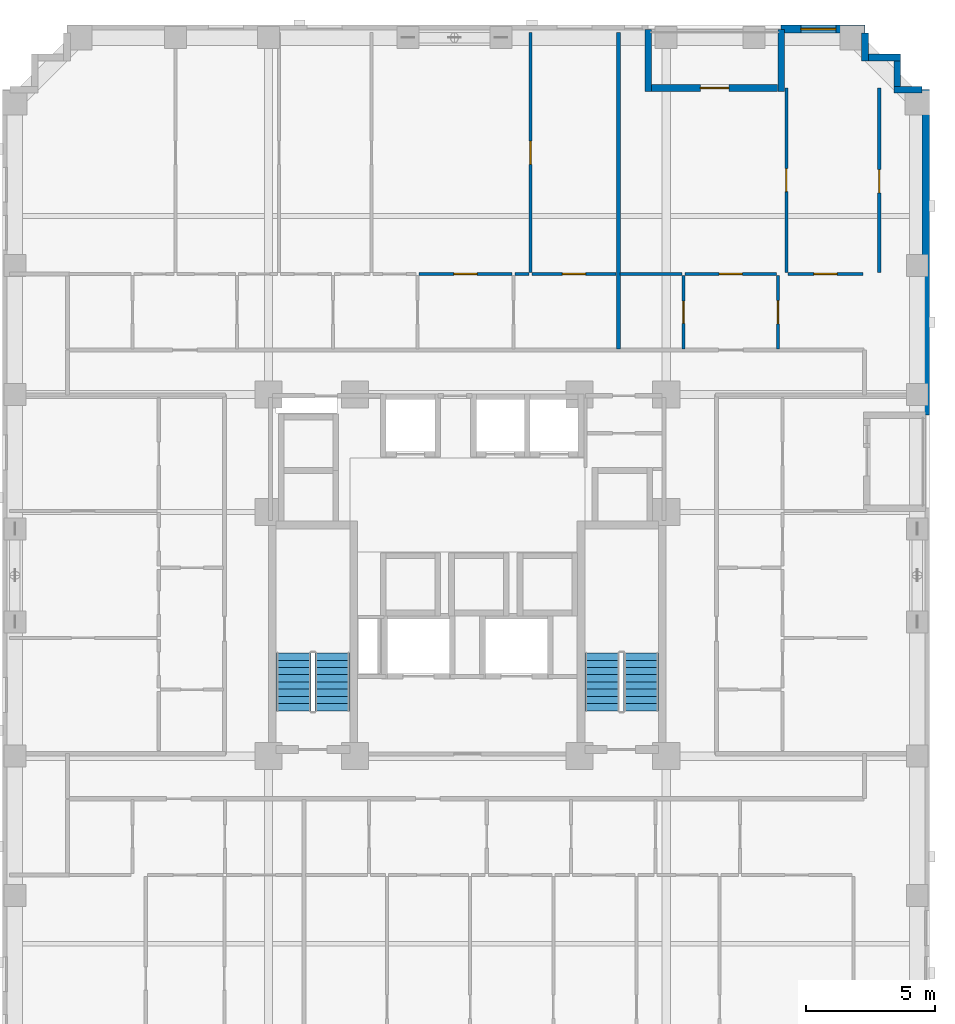
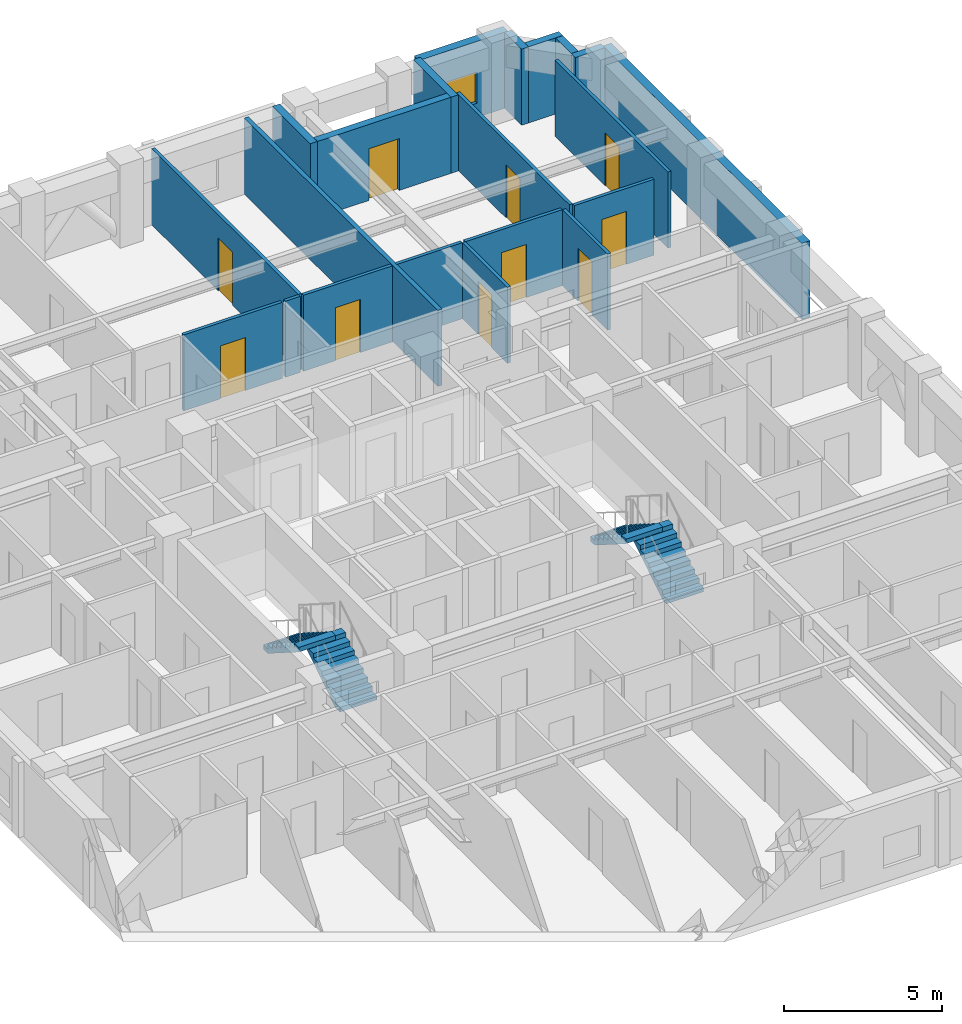
# One storey, part 8 of 12: 21 walls, 10 doors, 4 stair flights, 1 window, 11 openings, 2 elements without a shape of their own.
"""IFC4 building model written with IfcOpenShell, lengths in metres."""

from ifc_helpers import new_model, si_unit, derived_unit, direction, frame, frame_2d, origin, place, context, subcontext, project, spatial, polyline, rectangle, outline, extrude, material, layer, layer_set, type_object, element, fill, aggregate, save


model = new_model("IFC4")

# Units and contexts
model_context = context("Model", 3, precision=1e-05, world=origin(), true_north=direction((0.0, 1.0)))
body_context = subcontext(model_context, "Body", "Model", "MODEL_VIEW")
ifc_project = project(units=[si_unit("LENGTHUNIT", "METRE"), si_unit("AREAUNIT", "SQUARE_METRE"), si_unit("VOLUMEUNIT", "CUBIC_METRE"), si_unit("PLANEANGLEUNIT", "RADIAN"), si_unit("MASSUNIT", "GRAM", prefix="KILO"), derived_unit("THERMALTRANSMITTANCEUNIT", [(si_unit("MASSUNIT", "GRAM", prefix="KILO"), 1), (si_unit("TIMEUNIT", "SECOND"), -3), (si_unit("THERMODYNAMICTEMPERATUREUNIT", "KELVIN"), -1)])], contexts=[model_context])

# Site, building, storey
site_placement = place(None, origin())
site = spatial("IfcSite", under=ifc_project, at=site_placement, CompositionType="ELEMENT")
building_placement = place(site_placement, origin())
building = spatial("IfcBuilding", under=site, at=building_placement, Name="Korrvale Station Residences", CompositionType="ELEMENT")
storey_placement = place(building_placement, frame((0.0, 0.0, 81.5)))
storey = spatial("IfcBuildingStorey", under=building, at=storey_placement, Name="L22", CompositionType="ELEMENT", Elevation=81.5)

# Wall
ifc_material_1 = material(Name="Precast concrete C45/55", Category="concrete")
ifc_layer_1 = layer(ifc_material_1, 0.260009765625, Name="Precast concrete C45/55")
ifc_layer_set_1 = layer_set([ifc_layer_1], Name="Precast concrete C45/55")
wall_type_1 = type_object("IfcWallType", Name="WAL-EXT-LOG260", PredefinedType="SOLIDWALL", material=ifc_layer_set_1)
wall_1_placement = place(storey_placement, frame((32.5, 43.139892578125, 0.0), z_axis=(0.0, 0.0, 1.0), x_axis=(0.0, -1.0, 0.0)))
element("IfcWall", 1, at=wall_1_placement, inside=storey, type_object=wall_type_1, Name="L22 Recessed Loggia Wall BAL-L22-N1-L", PredefinedType="SOLIDWALL", context=body_context, shape_type="SweptSolid", body=[
    extrude(rectangle(XDim=2.39990234375, YDim=0.260009765625, at=frame_2d((1.199951171875, 0.0))), origin(), (0.0, 0.0, 1.0), 2.93994140625),
])

# Wall, opening, door
wall_2_placement = place(storey_placement, frame((32.634033203125, 40.8701171875, 0.0), z_axis=(0.0, 0.0, 1.0), x_axis=(1.0, 0.0, 0.0)))
wall_2 = element("IfcWall", 2, at=wall_2_placement, inside=storey, type_object=wall_type_1, Name="L22 Recessed Loggia Wall BAL-L22-N1-B", PredefinedType="SOLIDWALL", context=body_context, shape_type="SweptSolid", body=[
    extrude(rectangle(XDim=4.882080078125, YDim=0.260009765625, at=frame_2d((2.44091796875, 0.0))), origin(), (0.0, 0.0, 1.0), 2.93994140625),
])
opening_1_placement = place(wall_2_placement, frame((1.89111328125, 0.0, 0.0)))
opening_1 = element("IfcOpeningElement", 3, at=opening_1_placement, cuts=wall_2, Name="Opening BD-01", PredefinedType="OPENING", context=body_context, shape_type="SweptSolid", body=[
    extrude(rectangle(XDim=1.10009765625, YDim=2.0, at=frame_2d((0.550048828125, 1.0))), frame((0.0, 0.14013671875, 0.0), z_axis=(0.0, -1.0, 0.0), x_axis=(1.0, 0.0, 0.0)), (0.0, 0.0, 1.0), 0.280029296875),
])
ifc_material_2 = material(Name="Exterior thermally broken aluminium glazed balcony door", Category="aluminium")
door_type_1 = type_object("IfcDoorType", Name="DR-EXT-BAL", OperationType="NOTDEFINED", PredefinedType="DOOR", material=ifc_material_2)
door_1_placement = place(opening_1_placement, origin())
door_1 = element("IfcDoor", 4, at=door_1_placement, inside=storey, type_object=door_type_1, Name="L22 Loggia Balcony Door BAL-L22-N1", OperationType="SINGLE_SWING_LEFT", OverallHeight=2.0, OverallWidth=1.10009765625, PredefinedType="DOOR", context=body_context, shape_type="SweptSolid", body=[
    extrude(rectangle(XDim=1.10009765625, YDim=2.0, at=frame_2d((0.550048828125, 1.0))), frame((0.0, 0.02490234375, 0.0), z_axis=(0.0, -1.0, 0.0), x_axis=(1.0, 0.0, 0.0)), (0.0, 0.0, 1.0), 0.050048828125),
])
fill(opening_1, door_1)

# Walls
wall_3_placement = place(storey_placement, frame((37.64990234375, 40.739990234375, 0.0), z_axis=(0.0, 0.0, 1.0), x_axis=(0.0, 1.0, 0.0)))
element("IfcWall", 5, at=wall_3_placement, inside=storey, type_object=wall_type_1, Name="L22 Recessed Loggia Wall BAL-L22-N1-R", PredefinedType="SOLIDWALL", context=body_context, shape_type="SweptSolid", body=[
    extrude(rectangle(XDim=2.39990234375, YDim=0.260009765625, at=frame_2d((1.199951171875, 0.0))), origin(), (0.0, 0.0, 1.0), 2.93994140625),
])
wall_4_placement = place(storey_placement, frame((40.89990234375, 42.998046875, 0.0), z_axis=(0.0, 0.0, 1.0), x_axis=(0.0, -1.0, 0.0)))
element("IfcWall", 6, at=wall_4_placement, inside=storey, type_object=wall_type_1, Name="L22 Serrated Corner Precast Step NE-1", PredefinedType="SOLIDWALL", context=body_context, shape_type="SweptSolid", body=[
    extrude(rectangle(XDim=1.078125, YDim=0.260009765625, at=frame_2d((0.5390625, 0.0))), origin(), (0.0, 0.0, 1.0), 2.93994140625),
])
wall_5_placement = place(storey_placement, frame((41.031982421875, 42.050048828125, 0.0), z_axis=(0.0, 0.0, 1.0), x_axis=(1.0, 0.0, 0.0)))
element("IfcWall", 7, at=wall_5_placement, inside=storey, type_object=wall_type_1, Name="L22 Serrated Corner Precast Step NE-2", PredefinedType="SOLIDWALL", context=body_context, shape_type="SweptSolid", body=[
    extrude(rectangle(XDim=1.248046875, YDim=0.260009765625, at=frame_2d((0.6240234375, 0.0))), origin(), (0.0, 0.0, 1.0), 2.93994140625),
])
wall_6_placement = place(storey_placement, frame((42.14990234375, 41.91796875, 0.0), z_axis=(0.0, 0.0, 1.0), x_axis=(0.0, -1.0, 0.0)))
element("IfcWall", 8, at=wall_6_placement, inside=storey, type_object=wall_type_1, Name="L22 Serrated Corner Precast Step NE-3", PredefinedType="SOLIDWALL", context=body_context, shape_type="SweptSolid", body=[
    extrude(rectangle(XDim=0.986083984375, YDim=0.260009765625, at=frame_2d((0.4931640625, 0.0))), origin(), (0.0, 0.0, 1.0), 2.93994140625),
])
wall_7_placement = place(storey_placement, frame((42.02001953125, 40.800048828125, 0.0), z_axis=(0.0, 0.0, 1.0), x_axis=(1.0, 0.0, 0.0)))
element("IfcWall", 9, at=wall_7_placement, inside=storey, type_object=wall_type_1, Name="L22 Serrated Corner Precast Step NE-4", PredefinedType="SOLIDWALL", context=body_context, shape_type="SweptSolid", body=[
    extrude(rectangle(XDim=1.077880859375, YDim=0.260009765625, at=frame_2d((0.5390625, 0.0))), origin(), (0.0, 0.0, 1.0), 2.93994140625),
])

# Wall, opening, window
ifc_layer_2 = layer(ifc_material_1, 0.300048828125, Name="Precast concrete C45/55")
ifc_layer_set_2 = layer_set([ifc_layer_2], Name="Precast concrete C45/55")
wall_type_2 = type_object("IfcWallType", Name="WAL-EXT-PC300", PredefinedType="SOLIDWALL", material=ifc_layer_set_2)
wall_8_placement = place(storey_placement, frame((37.64990234375, 43.14990234375, 0.0), z_axis=(0.0, 0.0, 1.0), x_axis=(1.0, 0.0, 0.0)))
wall_8 = element("IfcWall", 10, at=wall_8_placement, inside=storey, type_object=wall_type_2, Name="L22 North Exterior Precast Wall 2", PredefinedType="SOLIDWALL", context=body_context, shape_type="SweptSolid", body=[
    extrude(rectangle(XDim=3.25, YDim=0.300048828125, at=frame_2d((1.625, 0.0))), origin(), (0.0, 0.0, 1.0), 2.93994140625),
])
opening_2_placement = place(wall_8_placement, frame((0.764892578125, 0.0, 0.550048828125)))
opening_2 = element("IfcOpeningElement", 11, at=opening_2_placement, cuts=wall_8, Name="Opening W-10", PredefinedType="OPENING", context=body_context, shape_type="SweptSolid", body=[
    extrude(rectangle(XDim=1.35009765625, YDim=1.199951171875, at=frame_2d((0.675048828125, 0.60009765625))), frame((0.0, 0.16015625, 0.0), z_axis=(0.0, -1.0, 0.0), x_axis=(1.0, 0.0, 0.0)), (0.0, 0.0, 1.0), 0.320068359375),
])
ifc_material_3 = material(Name="Thermally broken aluminium frame with triple low-e glazing", Category="aluminium")
window_type = type_object("IfcWindowType", Name="WIN-W10", PartitioningType="SINGLE_PANEL", PredefinedType="WINDOW", material=ifc_material_3)
window_placement = place(opening_2_placement, origin())
window = element("IfcWindow", 12, at=window_placement, inside=storey, type_object=window_type, Name="L22 Punched Window 18", OverallHeight=1.199951171875, OverallWidth=1.35009765625, PartitioningType="SINGLE_PANEL", PredefinedType="WINDOW", context=body_context, shape_type="SweptSolid", body=[
    extrude(rectangle(XDim=1.35009765625, YDim=1.199951171875, at=frame_2d((0.675048828125, 0.60009765625))), frame((0.0, 0.030029296875, 0.0), z_axis=(0.0, -1.0, 0.0), x_axis=(1.0, 0.0, 0.0)), (0.0, 0.0, 1.0), 0.06005859375),
])
fill(opening_2, window)

# Wall
wall_9_placement = place(storey_placement, frame((43.25, 40.800048828125, 0.0), z_axis=(0.0, 0.0, 1.0), x_axis=(0.0, -1.0, 0.0)))
element("IfcWall", 13, at=wall_9_placement, inside=storey, type_object=wall_type_2, Name="L22 East Exterior Precast Wall 1", PredefinedType="SOLIDWALL", context=body_context, shape_type="SweptSolid", body=[
    extrude(rectangle(XDim=12.60009765625, YDim=0.300048828125, at=frame_2d((6.300048828125, 0.0))), origin(), (0.0, 0.0, 1.0), 2.93994140625),
])

# Wall, opening, door
ifc_material_4 = material(Name="Acoustic steel-stud gypsum board partition", Category="steel")
ifc_layer_3 = layer(ifc_material_4, 0.1201171875, Name="Acoustic steel-stud gypsum board partition")
ifc_layer_set_3 = layer_set([ifc_layer_3], Name="Acoustic steel-stud gypsum board partition")
wall_type_3 = type_object("IfcWallType", Name="WAL-PART-125", PredefinedType="PARTITIONING", material=ifc_layer_set_3)
wall_10_placement = place(storey_placement, frame((23.6298828125, 33.669921875, 0.0), z_axis=(0.0, 0.0, 1.0), x_axis=(1.0, 0.0, 0.0)))
wall_10 = element("IfcWall", 14, at=wall_10_placement, inside=storey, type_object=wall_type_3, Name="L22 Suite Partition U03-H49", PredefinedType="PARTITIONING", context=body_context, shape_type="SweptSolid", body=[
    extrude(rectangle(XDim=3.60009765625, YDim=0.1201171875, at=frame_2d((1.800048828125, 0.0))), origin(), (0.0, 0.0, 1.0), 2.93994140625),
])
opening_3_placement = place(wall_10_placement, frame((1.35009765625, 0.0, 0.0)))
opening_3 = element("IfcOpeningElement", 15, at=opening_3_placement, cuts=wall_10, Name="Opening DI-900", PredefinedType="OPENING", context=body_context, shape_type="SweptSolid", body=[
    extrude(rectangle(XDim=0.89990234375, YDim=2.050048828125, at=frame_2d((0.449951171875, 1.02490234375))), frame((0.0, 0.070068359375, 0.0), z_axis=(0.0, -1.0, 0.0), x_axis=(1.0, 0.0, 0.0)), (0.0, 0.0, 1.0), 0.14013671875),
])
ifc_material_5 = material(Name="Painted solid-core timber interior room door", Category="wood")
door_type_2 = type_object("IfcDoorType", Name="DR-INT-900", OperationType="NOTDEFINED", PredefinedType="DOOR", material=ifc_material_5)
door_2_placement = place(opening_3_placement, origin())
door_2 = element("IfcDoor", 16, at=door_2_placement, inside=storey, type_object=door_type_2, Name="L22 Apartment 1BR L22-U03 Storage Closet 3 Door", OperationType="SINGLE_SWING_LEFT", OverallHeight=2.050048828125, OverallWidth=0.89990234375, PredefinedType="DOOR", context=body_context, shape_type="SweptSolid", body=[
    extrude(rectangle(XDim=0.89990234375, YDim=2.050048828125, at=frame_2d((0.449951171875, 1.02490234375))), frame((0.0, 0.02490234375, 0.0), z_axis=(0.0, -1.0, 0.0), x_axis=(1.0, 0.0, 0.0)), (0.0, 0.0, 1.0), 0.050048828125),
])
fill(opening_3, door_2)

# Wall
wall_11_placement = place(storey_placement, frame((27.35009765625, 33.669921875, 0.0), z_axis=(0.0, 0.0, 1.0), x_axis=(1.0, 0.0, 0.0)))
element("IfcWall", 17, at=wall_11_placement, inside=storey, type_object=wall_type_3, Name="L22 Suite Partition U03-H59", PredefinedType="PARTITIONING", context=body_context, shape_type="SweptSolid", body=[
    extrude(rectangle(XDim=0.539794921875, YDim=0.1201171875, at=frame_2d((0.27001953125, 0.0))), origin(), (0.0, 0.0, 1.0), 2.93994140625),
])

# Wall, opening, door
wall_12_placement = place(storey_placement, frame((28.010009765625, 33.669921875, 0.0), z_axis=(0.0, 0.0, 1.0), x_axis=(1.0, 0.0, 0.0)))
wall_12 = element("IfcWall", 18, at=wall_12_placement, inside=storey, type_object=wall_type_3, Name="L22 Suite Partition U03-H510", PredefinedType="PARTITIONING", context=body_context, shape_type="SweptSolid", body=[
    extrude(rectangle(XDim=3.239990234375, YDim=0.1201171875, at=frame_2d((1.6201171875, 0.0))), origin(), (0.0, 0.0, 1.0), 2.93994140625),
])
opening_4_placement = place(wall_12_placement, frame((1.169921875, 0.0, 0.0)))
opening_4 = element("IfcOpeningElement", 19, at=opening_4_placement, cuts=wall_12, Name="Opening DI-900", PredefinedType="OPENING", context=body_context, shape_type="SweptSolid", body=[
    extrude(rectangle(XDim=0.89990234375, YDim=2.050048828125, at=frame_2d((0.449951171875, 1.02490234375))), frame((0.0, 0.070068359375, 0.0), z_axis=(0.0, -1.0, 0.0), x_axis=(1.0, 0.0, 0.0)), (0.0, 0.0, 1.0), 0.14013671875),
])
door_3_placement = place(opening_4_placement, origin())
door_3 = element("IfcDoor", 20, at=door_3_placement, inside=storey, type_object=door_type_2, Name="L22 Apartment 1BR L22-U03 Storage Closet 4 Door", OperationType="SINGLE_SWING_RIGHT", OverallHeight=2.050048828125, OverallWidth=0.89990234375, PredefinedType="DOOR", context=body_context, shape_type="SweptSolid", body=[
    extrude(rectangle(XDim=0.89990234375, YDim=2.050048828125, at=frame_2d((0.449951171875, 1.02490234375))), frame((0.0, 0.02490234375, 0.0), z_axis=(0.0, -1.0, 0.0), x_axis=(1.0, 0.0, 0.0)), (0.0, 0.0, 1.0), 0.050048828125),
])
fill(opening_4, door_3)

wall_13_placement = place(storey_placement, frame((27.949951171875, 33.72998046875, 0.0), z_axis=(0.0, 0.0, 1.0), x_axis=(0.0, 1.0, 0.0)))
wall_13 = element("IfcWall", 21, at=wall_13_placement, inside=storey, type_object=wall_type_3, Name="L22 Suite Partition U03-V910", PredefinedType="PARTITIONING", context=body_context, shape_type="SweptSolid", body=[
    extrude(rectangle(XDim=9.2900390625, YDim=0.1201171875, at=frame_2d((4.64501953125, 0.0))), origin(), (0.0, 0.0, 1.0), 2.93994140625),
])
opening_5_placement = place(wall_13_placement, frame((4.179931640625, 0.0, 0.0)))
opening_5 = element("IfcOpeningElement", 22, at=opening_5_placement, cuts=wall_13, Name="Opening DI-900", PredefinedType="OPENING", context=body_context, shape_type="SweptSolid", body=[
    extrude(rectangle(XDim=0.89990234375, YDim=2.050048828125, at=frame_2d((0.449951171875, 1.02490234375))), frame((0.0, 0.070068359375, 0.0), z_axis=(0.0, -1.0, 0.0), x_axis=(1.0, 0.0, 0.0)), (0.0, 0.0, 1.0), 0.14013671875),
])
door_4_placement = place(opening_5_placement, origin())
door_4 = element("IfcDoor", 23, at=door_4_placement, inside=storey, type_object=door_type_2, Name="L22 Apartment 1BR L22-U03 Wardrobe Storage Room Door", OperationType="SINGLE_SWING_RIGHT", OverallHeight=2.050048828125, OverallWidth=0.89990234375, PredefinedType="DOOR", context=body_context, shape_type="SweptSolid", body=[
    extrude(rectangle(XDim=0.89990234375, YDim=2.050048828125, at=frame_2d((0.449951171875, 1.02490234375))), frame((0.0, 0.02490234375, 0.0), z_axis=(0.0, -1.0, 0.0), x_axis=(1.0, 0.0, 0.0)), (0.0, 0.0, 1.0), 0.050048828125),
])
fill(opening_5, door_4)

wall_14_placement = place(storey_placement, frame((33.8701171875, 30.760009765625, 0.0), z_axis=(0.0, 0.0, 1.0), x_axis=(0.0, 1.0, 0.0)))
wall_14 = element("IfcWall", 24, at=wall_14_placement, inside=storey, type_object=wall_type_3, Name="L22 Suite Partition U04-V01", PredefinedType="PARTITIONING", context=body_context, shape_type="SweptSolid", body=[
    extrude(rectangle(XDim=2.85009765625, YDim=0.1201171875, at=frame_2d((1.425048828125, 0.0))), origin(), (0.0, 0.0, 1.0), 2.93994140625),
])
opening_6_placement = place(wall_14_placement, frame((0.9951171875, 0.0, 0.0)))
opening_6 = element("IfcOpeningElement", 25, at=opening_6_placement, cuts=wall_14, Name="Opening DB-860", PredefinedType="OPENING", context=body_context, shape_type="SweptSolid", body=[
    extrude(rectangle(XDim=0.860107421875, YDim=2.050048828125, at=frame_2d((0.43017578125, 1.02490234375))), frame((0.0, 0.070068359375, 0.0), z_axis=(0.0, -1.0, 0.0), x_axis=(1.0, 0.0, 0.0)), (0.0, 0.0, 1.0), 0.14013671875),
])
ifc_material_6 = material(Name="Moisture-resistant solid-core bathroom door", Category="timber")
door_type_3 = type_object("IfcDoorType", Name="DR-BATH-860", OperationType="NOTDEFINED", PredefinedType="DOOR", material=ifc_material_6)
door_5_placement = place(opening_6_placement, origin())
door_5 = element("IfcDoor", 26, at=door_5_placement, inside=storey, type_object=door_type_3, Name="L22 Apartment 1BR L22-U04 Bathroom Door", OperationType="SINGLE_SWING_LEFT", OverallHeight=2.050048828125, OverallWidth=0.860107421875, PredefinedType="DOOR", context=body_context, shape_type="SweptSolid", body=[
    extrude(rectangle(XDim=0.860107421875, YDim=2.050048828125, at=frame_2d((0.43017578125, 1.02490234375))), frame((0.0, 0.02490234375, 0.0), z_axis=(0.0, -1.0, 0.0), x_axis=(1.0, 0.0, 0.0)), (0.0, 0.0, 1.0), 0.050048828125),
])
fill(opening_6, door_5)

# Wall
wall_15_placement = place(storey_placement, frame((31.409912109375, 33.669921875, 0.0), z_axis=(0.0, 0.0, 1.0), x_axis=(1.0, 0.0, 0.0)))
element("IfcWall", 27, at=wall_15_placement, inside=storey, type_object=wall_type_3, Name="L22 Suite Partition U04-H03", PredefinedType="PARTITIONING", context=body_context, shape_type="SweptSolid", body=[
    extrude(rectangle(XDim=2.400146484375, YDim=0.1201171875, at=frame_2d((1.2001953125, 0.0))), origin(), (0.0, 0.0, 1.0), 2.93994140625),
])

# Wall, opening, door
wall_16_placement = place(storey_placement, frame((37.530029296875, 30.760009765625, 0.0), z_axis=(0.0, 0.0, 1.0), x_axis=(0.0, 1.0, 0.0)))
wall_16 = element("IfcWall", 28, at=wall_16_placement, inside=storey, type_object=wall_type_3, Name="L22 Suite Partition U04-V12", PredefinedType="PARTITIONING", context=body_context, shape_type="SweptSolid", body=[
    extrude(rectangle(XDim=2.85009765625, YDim=0.1201171875, at=frame_2d((1.425048828125, 0.0))), origin(), (0.0, 0.0, 1.0), 2.93994140625),
])
opening_7_placement = place(wall_16_placement, frame((0.97509765625, 0.0, 0.0)))
opening_7 = element("IfcOpeningElement", 29, at=opening_7_placement, cuts=wall_16, Name="Opening DI-900", PredefinedType="OPENING", context=body_context, shape_type="SweptSolid", body=[
    extrude(rectangle(XDim=0.89990234375, YDim=2.050048828125, at=frame_2d((0.449951171875, 1.02490234375))), frame((0.0, 0.070068359375, 0.0), z_axis=(0.0, -1.0, 0.0), x_axis=(1.0, 0.0, 0.0)), (0.0, 0.0, 1.0), 0.14013671875),
])
door_6_placement = place(opening_7_placement, origin())
door_6 = element("IfcDoor", 30, at=door_6_placement, inside=storey, type_object=door_type_2, Name="L22 Apartment 1BR L22-U04 Kitchen Door", OperationType="SINGLE_SWING_RIGHT", OverallHeight=2.050048828125, OverallWidth=0.89990234375, PredefinedType="DOOR", context=body_context, shape_type="SweptSolid", body=[
    extrude(rectangle(XDim=0.89990234375, YDim=2.050048828125, at=frame_2d((0.449951171875, 1.02490234375))), frame((0.0, 0.02490234375, 0.0), z_axis=(0.0, -1.0, 0.0), x_axis=(1.0, 0.0, 0.0)), (0.0, 0.0, 1.0), 0.050048828125),
])
fill(opening_7, door_6)

wall_17_placement = place(storey_placement, frame((33.929931640625, 33.669921875, 0.0), z_axis=(0.0, 0.0, 1.0), x_axis=(1.0, 0.0, 0.0)))
wall_17 = element("IfcWall", 31, at=wall_17_placement, inside=storey, type_object=wall_type_3, Name="L22 Suite Partition U04-H13", PredefinedType="PARTITIONING", context=body_context, shape_type="SweptSolid", body=[
    extrude(rectangle(XDim=3.5400390625, YDim=0.1201171875, at=frame_2d((1.77001953125, 0.0))), origin(), (0.0, 0.0, 1.0), 2.93994140625),
])
opening_8_placement = place(wall_17_placement, frame((1.320068359375, 0.0, 0.0)))
opening_8 = element("IfcOpeningElement", 32, at=opening_8_placement, cuts=wall_17, Name="Opening DI-900", PredefinedType="OPENING", context=body_context, shape_type="SweptSolid", body=[
    extrude(rectangle(XDim=0.89990234375, YDim=2.050048828125, at=frame_2d((0.449951171875, 1.02490234375))), frame((0.0, 0.070068359375, 0.0), z_axis=(0.0, -1.0, 0.0), x_axis=(1.0, 0.0, 0.0)), (0.0, 0.0, 1.0), 0.14013671875),
])
door_7_placement = place(opening_8_placement, origin())
door_7 = element("IfcDoor", 33, at=door_7_placement, inside=storey, type_object=door_type_2, Name="L22 Apartment 1BR L22-U04 Kitchen Door", OperationType="SINGLE_SWING_LEFT", OverallHeight=2.050048828125, OverallWidth=0.89990234375, PredefinedType="DOOR", context=body_context, shape_type="SweptSolid", body=[
    extrude(rectangle(XDim=0.89990234375, YDim=2.050048828125, at=frame_2d((0.449951171875, 1.02490234375))), frame((0.0, 0.02490234375, 0.0), z_axis=(0.0, -1.0, 0.0), x_axis=(1.0, 0.0, 0.0)), (0.0, 0.0, 1.0), 0.050048828125),
])
fill(opening_8, door_7)

wall_18_placement = place(storey_placement, frame((37.909912109375, 33.669921875, 0.0), z_axis=(0.0, 0.0, 1.0), x_axis=(1.0, 0.0, 0.0)))
wall_18 = element("IfcWall", 34, at=wall_18_placement, inside=storey, type_object=wall_type_3, Name="L22 Suite Partition U04-H24", PredefinedType="PARTITIONING", context=body_context, shape_type="SweptSolid", body=[
    extrude(rectangle(XDim=2.91015625, YDim=0.1201171875, at=frame_2d((1.455078125, 0.0))), origin(), (0.0, 0.0, 1.0), 2.93994140625),
])
opening_9_placement = place(wall_18_placement, frame((1.0048828125, 0.0, 0.0)))
opening_9 = element("IfcOpeningElement", 35, at=opening_9_placement, cuts=wall_18, Name="Opening DI-900", PredefinedType="OPENING", context=body_context, shape_type="SweptSolid", body=[
    extrude(rectangle(XDim=0.89990234375, YDim=2.050048828125, at=frame_2d((0.449951171875, 1.02490234375))), frame((0.0, 0.070068359375, 0.0), z_axis=(0.0, -1.0, 0.0), x_axis=(1.0, 0.0, 0.0)), (0.0, 0.0, 1.0), 0.14013671875),
])
door_8_placement = place(opening_9_placement, origin())
door_8 = element("IfcDoor", 36, at=door_8_placement, inside=storey, type_object=door_type_2, Name="L22 Apartment 1BR L22-U04 Utility and Laundry Room Door", OperationType="SINGLE_SWING_RIGHT", OverallHeight=2.050048828125, OverallWidth=0.89990234375, PredefinedType="DOOR", context=body_context, shape_type="SweptSolid", body=[
    extrude(rectangle(XDim=0.89990234375, YDim=2.050048828125, at=frame_2d((0.449951171875, 1.02490234375))), frame((0.0, 0.02490234375, 0.0), z_axis=(0.0, -1.0, 0.0), x_axis=(1.0, 0.0, 0.0)), (0.0, 0.0, 1.0), 0.050048828125),
])
fill(opening_9, door_8)

wall_19_placement = place(storey_placement, frame((37.85009765625, 33.72998046875, 0.0), z_axis=(0.0, 0.0, 1.0), x_axis=(0.0, 1.0, 0.0)))
wall_19 = element("IfcWall", 37, at=wall_19_placement, inside=storey, type_object=wall_type_3, Name="L22 Suite Partition U04-V34", PredefinedType="PARTITIONING", context=body_context, shape_type="SweptSolid", body=[
    extrude(rectangle(XDim=7.14013671875, YDim=0.1201171875, at=frame_2d((3.570068359375, 0.0))), origin(), (0.0, 0.0, 1.0), 2.93994140625),
])
opening_10_placement = place(wall_19_placement, frame((3.1201171875, 0.0, 0.0)))
opening_10 = element("IfcOpeningElement", 38, at=opening_10_placement, cuts=wall_19, Name="Opening DI-900", PredefinedType="OPENING", context=body_context, shape_type="SweptSolid", body=[
    extrude(rectangle(XDim=0.89990234375, YDim=2.050048828125, at=frame_2d((0.449951171875, 1.02490234375))), frame((0.0, 0.070068359375, 0.0), z_axis=(0.0, -1.0, 0.0), x_axis=(1.0, 0.0, 0.0)), (0.0, 0.0, 1.0), 0.14013671875),
])
door_9_placement = place(opening_10_placement, origin())
door_9 = element("IfcDoor", 39, at=door_9_placement, inside=storey, type_object=door_type_2, Name="L22 Apartment 1BR L22-U04 Living and Dining Room Door", OperationType="SINGLE_SWING_LEFT", OverallHeight=2.050048828125, OverallWidth=0.89990234375, PredefinedType="DOOR", context=body_context, shape_type="SweptSolid", body=[
    extrude(rectangle(XDim=0.89990234375, YDim=2.050048828125, at=frame_2d((0.449951171875, 1.02490234375))), frame((0.0, 0.02490234375, 0.0), z_axis=(0.0, -1.0, 0.0), x_axis=(1.0, 0.0, 0.0)), (0.0, 0.0, 1.0), 0.050048828125),
])
fill(opening_10, door_9)

wall_20_placement = place(storey_placement, frame((41.449951171875, 33.72998046875, 0.0), z_axis=(0.0, 0.0, 1.0), x_axis=(0.0, 1.0, 0.0)))
wall_20 = element("IfcWall", 40, at=wall_20_placement, inside=storey, type_object=wall_type_3, Name="L22 Suite Partition U04-V45", PredefinedType="PARTITIONING", context=body_context, shape_type="SweptSolid", body=[
    extrude(rectangle(XDim=7.14013671875, YDim=0.1201171875, at=frame_2d((3.570068359375, 0.0))), origin(), (0.0, 0.0, 1.0), 2.93994140625),
])
opening_11_placement = place(wall_20_placement, frame((3.074951171875, 0.0, 0.0)))
opening_11 = element("IfcOpeningElement", 41, at=opening_11_placement, cuts=wall_20, Name="Opening DI-900", PredefinedType="OPENING", context=body_context, shape_type="SweptSolid", body=[
    extrude(rectangle(XDim=0.89990234375, YDim=2.050048828125, at=frame_2d((0.449951171875, 1.02490234375))), frame((0.0, 0.070068359375, 0.0), z_axis=(0.0, -1.0, 0.0), x_axis=(1.0, 0.0, 0.0)), (0.0, 0.0, 1.0), 0.14013671875),
])
door_10_placement = place(opening_11_placement, origin())
door_10 = element("IfcDoor", 42, at=door_10_placement, inside=storey, type_object=door_type_2, Name="L22 Apartment 1BR L22-U04 Bedroom 1 Door", OperationType="SINGLE_SWING_RIGHT", OverallHeight=2.050048828125, OverallWidth=0.89990234375, PredefinedType="DOOR", context=body_context, shape_type="SweptSolid", body=[
    extrude(rectangle(XDim=0.89990234375, YDim=2.050048828125, at=frame_2d((0.449951171875, 1.02490234375))), frame((0.0, 0.02490234375, 0.0), z_axis=(0.0, -1.0, 0.0), x_axis=(1.0, 0.0, 0.0)), (0.0, 0.0, 1.0), 0.050048828125),
])
fill(opening_11, door_10)

# Wall
ifc_material_7 = material(Name="Fire-rated twin-stud gypsum and mineral wool shaftwall assembly", Category="gypsum")
ifc_layer_4 = layer(ifc_material_7, 0.159912109375, Name="Fire-rated twin-stud gypsum and mineral wool shaftwall assembly")
ifc_layer_set_4 = layer_set([ifc_layer_4], Name="Fire-rated twin-stud gypsum and mineral wool shaftwall assembly")
wall_type_4 = type_object("IfcWallType", Name="WAL-PART-200", PredefinedType="PARTITIONING", material=ifc_layer_set_4)
wall_21_placement = place(storey_placement, frame((31.35009765625, 30.760009765625, 0.0), z_axis=(0.0, 0.0, 1.0), x_axis=(0.0, 1.0, 0.0)))
element("IfcWall", 43, at=wall_21_placement, inside=storey, type_object=wall_type_4, Name="L22 Demising Wall U04-W", PredefinedType="PARTITIONING", context=body_context, shape_type="SweptSolid", body=[
    extrude(rectangle(XDim=12.260009765625, YDim=0.159912109375, at=frame_2d((6.1298828125, 0.0))), origin(), (0.0, 0.0, 1.0), 2.93994140625),
])

# Stair, stair flights
ifc_material_8 = material(Name="Concrete C50/60", Category="concrete")
stair_type = type_object("IfcStairType", Name="STR-DL-1350-18R-1778", PredefinedType="HALF_TURN_STAIR", material=ifc_material_8)
stair_1_placement = place(storey_placement, origin())
stair_1 = element("IfcStair", 44, at=stair_1_placement, inside=storey, type_object=stair_type, Name="L22 Exit Stair 1", PredefinedType="HALF_TURN_STAIR")
stair_flight_type = type_object("IfcStairFlightType", Name="FLT-DL-1350-18R-1778", PredefinedType="STRAIGHT", material=ifc_material_8)
stair_flight_1_placement = place(storey_placement, frame((20.27490234375, 16.75, 0.0), z_axis=(0.0, 0.0, 1.0), x_axis=(0.0, 1.0, 0.0)))
stair_flight_1 = element("IfcStairFlight", 45, at=stair_flight_1_placement, type_object=stair_flight_type, Name="ST-1 flight 1", NumberOfRisers=9, NumberOfTreads=8, PredefinedType="STRAIGHT", RiserHeight=0.177777778, TreadLength=0.28, context=body_context, shape_type="SweptSolid", body=[
    extrude(outline(polyline([(0.0, 0.0), (0.0, 0.177734375), (0.280029296875, 0.177734375), (0.280029296875, 0.35546875), (0.56005859375, 0.35546875), (0.56005859375, 0.533447265625), (0.840087890625, 0.533447265625), (0.840087890625, 0.711181640625), (1.1201171875, 0.711181640625), (1.1201171875, 0.888916015625), (1.39990234375, 0.888916015625), (1.39990234375, 1.066650390625), (1.679931640625, 1.066650390625), (1.679931640625, 1.244384765625), (1.9599609375, 1.244384765625), (1.9599609375, 1.422119140625), (2.239990234375, 1.422119140625), (2.239990234375, 1.60009765625), (2.239990234375, 1.24462890625), (0.27978515625, 0.0), (0.0, 0.0)])), frame((0.0, 0.675048828125, 0.0), z_axis=(0.0, -1.0, 0.0), x_axis=(1.0, 0.0, 0.0)), (0.0, 0.0, 1.0), 1.35009765625),
])
stair_flight_2_placement = place(storey_placement, frame((18.77490234375, 18.989990234375, 1.60009765625), z_axis=(0.0, 0.0, 1.0), x_axis=(0.0, -1.0, 0.0)))
stair_flight_2 = element("IfcStairFlight", 46, at=stair_flight_2_placement, type_object=stair_flight_type, Name="ST-1 flight 2", NumberOfRisers=9, NumberOfTreads=8, PredefinedType="STRAIGHT", RiserHeight=0.177777778, TreadLength=0.28, context=body_context, shape_type="SweptSolid", body=[
    extrude(outline(polyline([(0.0, 0.0), (0.0, 0.177734375), (0.280029296875, 0.177734375), (0.280029296875, 0.35546875), (0.56005859375, 0.35546875), (0.56005859375, 0.533447265625), (0.840087890625, 0.533447265625), (0.840087890625, 0.711181640625), (1.1201171875, 0.711181640625), (1.1201171875, 0.888916015625), (1.39990234375, 0.888916015625), (1.39990234375, 1.066650390625), (1.679931640625, 1.066650390625), (1.679931640625, 1.244384765625), (1.9599609375, 1.244384765625), (1.9599609375, 1.422119140625), (2.239990234375, 1.422119140625), (2.239990234375, 1.60009765625), (2.239990234375, 1.24462890625), (0.27978515625, 0.0), (0.0, 0.0)])), frame((0.0, 0.675048828125, 0.0), z_axis=(0.0, -1.0, 0.0), x_axis=(1.0, 0.0, 0.0)), (0.0, 0.0, 1.0), 1.35009765625),
])
aggregate(stair_1, [stair_flight_1, stair_flight_2])

stair_2_placement = place(storey_placement, origin())
stair_2 = element("IfcStair", 47, at=stair_2_placement, inside=storey, type_object=stair_type, Name="L22 Exit Stair 2", PredefinedType="HALF_TURN_STAIR")
stair_flight_3_placement = place(storey_placement, frame((32.22509765625, 16.75, 0.0), z_axis=(0.0, 0.0, 1.0), x_axis=(0.0, 1.0, 0.0)))
stair_flight_3 = element("IfcStairFlight", 48, at=stair_flight_3_placement, type_object=stair_flight_type, Name="ST-2 flight 1", NumberOfRisers=9, NumberOfTreads=8, PredefinedType="STRAIGHT", RiserHeight=0.177777778, TreadLength=0.28, context=body_context, shape_type="SweptSolid", body=[
    extrude(outline(polyline([(0.0, 0.0), (0.0, 0.177734375), (0.280029296875, 0.177734375), (0.280029296875, 0.35546875), (0.56005859375, 0.35546875), (0.56005859375, 0.533447265625), (0.840087890625, 0.533447265625), (0.840087890625, 0.711181640625), (1.1201171875, 0.711181640625), (1.1201171875, 0.888916015625), (1.39990234375, 0.888916015625), (1.39990234375, 1.066650390625), (1.679931640625, 1.066650390625), (1.679931640625, 1.244384765625), (1.9599609375, 1.244384765625), (1.9599609375, 1.422119140625), (2.239990234375, 1.422119140625), (2.239990234375, 1.60009765625), (2.239990234375, 1.24462890625), (0.27978515625, 0.0), (0.0, 0.0)])), frame((0.0, 0.675048828125, 0.0), z_axis=(0.0, -1.0, 0.0), x_axis=(1.0, 0.0, 0.0)), (0.0, 0.0, 1.0), 1.35009765625),
])
stair_flight_4_placement = place(storey_placement, frame((30.72509765625, 18.989990234375, 1.60009765625), z_axis=(0.0, 0.0, 1.0), x_axis=(0.0, -1.0, 0.0)))
stair_flight_4 = element("IfcStairFlight", 49, at=stair_flight_4_placement, type_object=stair_flight_type, Name="ST-2 flight 2", NumberOfRisers=9, NumberOfTreads=8, PredefinedType="STRAIGHT", RiserHeight=0.177777778, TreadLength=0.28, context=body_context, shape_type="SweptSolid", body=[
    extrude(outline(polyline([(0.0, 0.0), (0.0, 0.177734375), (0.280029296875, 0.177734375), (0.280029296875, 0.35546875), (0.56005859375, 0.35546875), (0.56005859375, 0.533447265625), (0.840087890625, 0.533447265625), (0.840087890625, 0.711181640625), (1.1201171875, 0.711181640625), (1.1201171875, 0.888916015625), (1.39990234375, 0.888916015625), (1.39990234375, 1.066650390625), (1.679931640625, 1.066650390625), (1.679931640625, 1.244384765625), (1.9599609375, 1.244384765625), (1.9599609375, 1.422119140625), (2.239990234375, 1.422119140625), (2.239990234375, 1.60009765625), (2.239990234375, 1.24462890625), (0.27978515625, 0.0), (0.0, 0.0)])), frame((0.0, 0.675048828125, 0.0), z_axis=(0.0, -1.0, 0.0), x_axis=(1.0, 0.0, 0.0)), (0.0, 0.0, 1.0), 1.35009765625),
])
aggregate(stair_2, [stair_flight_3, stair_flight_4])

save(model, "model.ifc")
